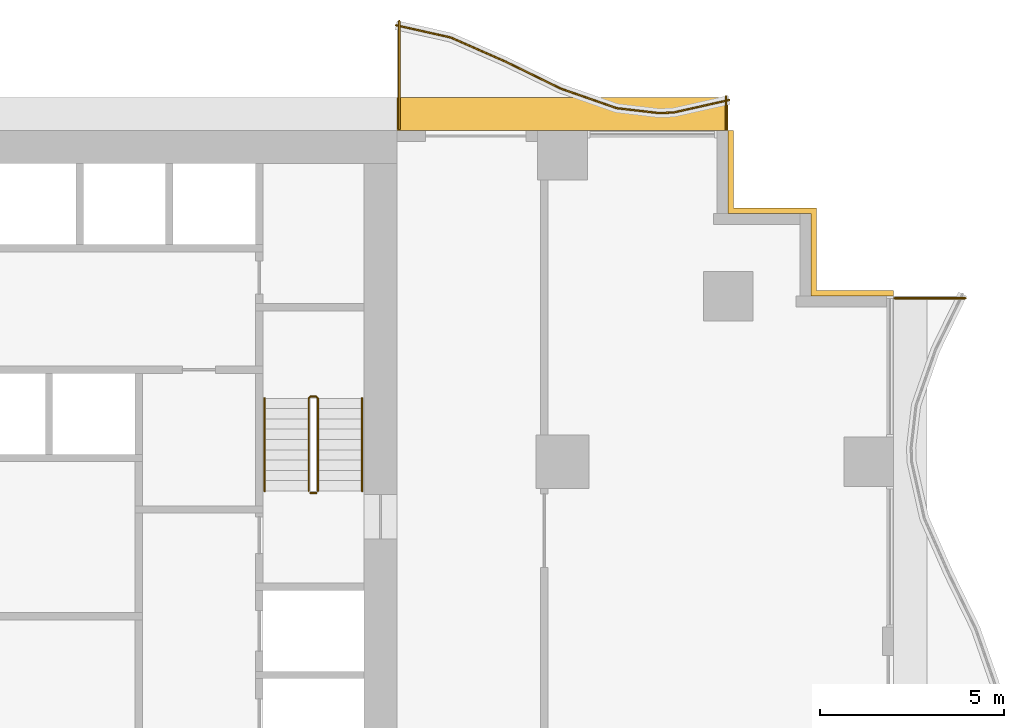
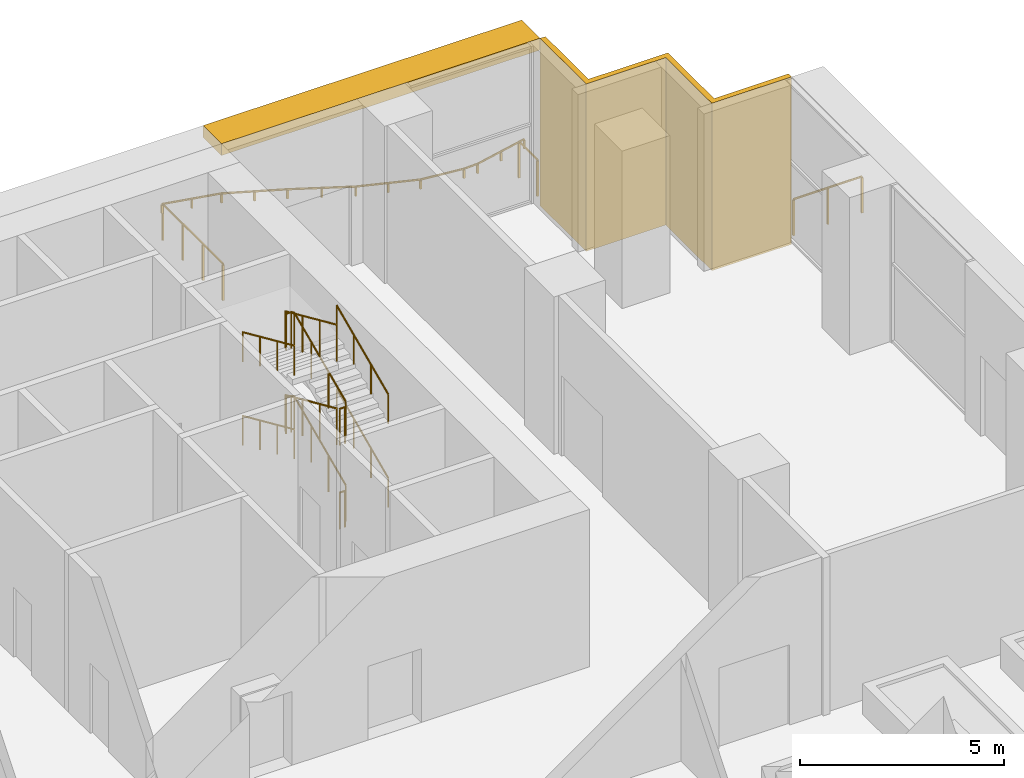
# One storey, part 17 of 18: 12 railings, 2 shading devices.
"""IFC4 building model written with IfcOpenShell, lengths in metres."""

from ifc_helpers import new_model, si_unit, direction, frame, origin, origin_2d, place, context, subcontext, project, spatial, polyline, rectangle, circle, outline, extrude, material, layer, layer_set, type_object, element, save


model = new_model("IFC4")

# Units and contexts
model_context = context("Model", 3, precision=1e-05, world=origin(), true_north=direction((0.0, 1.0)))
body_context = subcontext(model_context, "Body", "Model", "MODEL_VIEW")
ifc_project = project(units=[si_unit("LENGTHUNIT", "METRE"), si_unit("AREAUNIT", "SQUARE_METRE"), si_unit("VOLUMEUNIT", "CUBIC_METRE"), si_unit("PLANEANGLEUNIT", "RADIAN"), si_unit("MASSUNIT", "GRAM", prefix="KILO")], contexts=[model_context])

# Site, building, storey
site_placement = place(None, origin())
site = spatial("IfcSite", under=ifc_project, at=site_placement, CompositionType="ELEMENT")
building_placement = place(site_placement, origin())
building = spatial("IfcBuilding", under=site, at=building_placement, Name="Orbiselva Terraces", CompositionType="ELEMENT")
storey_placement = place(building_placement, frame((0.0, 0.0, 64.4)))
storey = spatial("IfcBuildingStorey", under=building, at=storey_placement, Name="L16", CompositionType="ELEMENT", Elevation=64.4)

# Railings
ifc_material_1 = material(Name="Stainless steel", Category="steel")
railing_type_1 = type_object("IfcRailingType", Name="CORE-GUARD-1100", PredefinedType="GUARDRAIL", material=ifc_material_1)
railing_1_placement = place(storey_placement, frame((11.35, 12.7, 0.125)))
element("IfcRailing", 1, at=railing_1_placement, inside=storey, type_object=railing_type_1, Name="L16 S2 stair guard 1", PredefinedType="GUARDRAIL", context=body_context, shape_type="SweptSolid", body=[
    extrude(circle(Radius=0.024, at=origin_2d()), frame((0.0, 0.0, 1.081), z_axis=(0.0, 0.913137882438, 0.407650840374), x_axis=(-1.0, 0.0, 0.0)), (0.0, 0.0, 1.0), 2.759715),
    extrude(circle(Radius=0.024, at=origin_2d()), frame((0.0, 2.52, 2.206), z_axis=(-0.707106781187, 0.707106781187, 0.0), x_axis=(-0.707106781187, -0.707106781187, 0.0)), (0.0, 0.0, 1.0), 0.070711),
    extrude(circle(Radius=0.024, at=origin_2d()), frame((-0.05, 2.57, 2.206), z_axis=(-1.0, 0.0, 0.0), x_axis=(0.0, -1.0, 0.0)), (0.0, 0.0, 1.0), 0.15),
    extrude(circle(Radius=0.024, at=origin_2d()), frame((-0.2, 2.57, 2.206), z_axis=(-0.348155311911, -0.348155311911, 0.870388279778), x_axis=(0.707106781187, -0.707106781187, 0.0)), (0.0, 0.0, 1.0), 0.143614),
    extrude(circle(Radius=0.024, at=origin_2d()), frame((-0.25, 2.52, 2.331), z_axis=(0.0, -0.913137882438, 0.407650840374), x_axis=(1.0, 0.0, 0.0)), (0.0, 0.0, 1.0), 2.759715),
    extrude(circle(Radius=0.021, at=origin_2d()), origin(), (0.0, 0.0, 1.0), 1.057),
    extrude(circle(Radius=0.021, at=origin_2d()), frame((0.0, 0.84, 0.375)), (0.0, 0.0, 1.0), 1.057),
    extrude(circle(Radius=0.021, at=origin_2d()), frame((0.0, 1.68, 0.75)), (0.0, 0.0, 1.0), 1.057),
    extrude(circle(Radius=0.021, at=origin_2d()), frame((0.0, 2.52, 1.125)), (0.0, 0.0, 1.0), 1.057),
    extrude(circle(Radius=0.021, at=origin_2d()), frame((-0.05, 2.57, 1.125)), (0.0, 0.0, 1.0), 1.057),
    extrude(circle(Radius=0.021, at=origin_2d()), frame((-0.2, 2.57, 1.125)), (0.0, 0.0, 1.0), 1.057),
    extrude(circle(Radius=0.021, at=origin_2d()), frame((-0.25, 2.52, 1.25)), (0.0, 0.0, 1.0), 1.057),
    extrude(circle(Radius=0.021, at=origin_2d()), frame((-0.25, 1.68, 1.625)), (0.0, 0.0, 1.0), 1.057),
    extrude(circle(Radius=0.021, at=origin_2d()), frame((-0.25, 0.84, 2.0)), (0.0, 0.0, 1.0), 1.057),
    extrude(circle(Radius=0.021, at=origin_2d()), frame((-0.25, 0.0, 2.375)), (0.0, 0.0, 1.0), 1.057),
])
railing_2_placement = place(storey_placement, frame((11.3, 12.65, 2.5)))
element("IfcRailing", 2, at=railing_2_placement, inside=storey, type_object=railing_type_1, Name="L16 S2 stair guard 2", PredefinedType="GUARDRAIL", context=body_context, shape_type="SweptSolid", body=[
    extrude(circle(Radius=0.024, at=origin_2d()), frame((0.0, 0.0, 1.081), z_axis=(-1.0, 0.0, 0.0), x_axis=(0.0, -1.0, 0.0)), (0.0, 0.0, 1.0), 0.15),
    extrude(circle(Radius=0.021, at=origin_2d()), origin(), (0.0, 0.0, 1.0), 1.057),
    extrude(circle(Radius=0.021, at=origin_2d()), frame((-0.15, 0.0, 0.0)), (0.0, 0.0, 1.0), 1.057),
])
railing_3_placement = place(storey_placement, frame((11.35, 12.7, 2.625)))
element("IfcRailing", 3, at=railing_3_placement, inside=storey, type_object=railing_type_1, Name="L16 S2 stair guard 3", PredefinedType="GUARDRAIL", context=body_context, shape_type="SweptSolid", body=[
    extrude(circle(Radius=0.024, at=origin_2d()), frame((0.0, 0.0, 1.081), z_axis=(0.0, 0.913137882438, 0.407650840374), x_axis=(-1.0, 0.0, 0.0)), (0.0, 0.0, 1.0), 2.759715),
    extrude(circle(Radius=0.024, at=origin_2d()), frame((0.0, 2.52, 2.206), z_axis=(-0.707106781187, 0.707106781187, 0.0), x_axis=(-0.707106781187, -0.707106781187, 0.0)), (0.0, 0.0, 1.0), 0.070711),
    extrude(circle(Radius=0.024, at=origin_2d()), frame((-0.05, 2.57, 2.206), z_axis=(-1.0, 0.0, 0.0), x_axis=(0.0, -1.0, 0.0)), (0.0, 0.0, 1.0), 0.15),
    extrude(circle(Radius=0.024, at=origin_2d()), frame((-0.2, 2.57, 2.206), z_axis=(-0.348155311911, -0.348155311911, 0.870388279778), x_axis=(0.707106781187, -0.707106781187, 0.0)), (0.0, 0.0, 1.0), 0.143614),
    extrude(circle(Radius=0.024, at=origin_2d()), frame((-0.25, 2.52, 2.331), z_axis=(0.0, -0.913137882438, 0.407650840374), x_axis=(1.0, 0.0, 0.0)), (0.0, 0.0, 1.0), 2.759715),
    extrude(circle(Radius=0.021, at=origin_2d()), origin(), (0.0, 0.0, 1.0), 1.057),
    extrude(circle(Radius=0.021, at=origin_2d()), frame((0.0, 0.84, 0.375)), (0.0, 0.0, 1.0), 1.057),
    extrude(circle(Radius=0.021, at=origin_2d()), frame((0.0, 1.68, 0.75)), (0.0, 0.0, 1.0), 1.057),
    extrude(circle(Radius=0.021, at=origin_2d()), frame((0.0, 2.52, 1.125)), (0.0, 0.0, 1.0), 1.057),
    extrude(circle(Radius=0.021, at=origin_2d()), frame((-0.05, 2.57, 1.125)), (0.0, 0.0, 1.0), 1.057),
    extrude(circle(Radius=0.021, at=origin_2d()), frame((-0.2, 2.57, 1.125)), (0.0, 0.0, 1.0), 1.057),
    extrude(circle(Radius=0.021, at=origin_2d()), frame((-0.25, 2.52, 1.25)), (0.0, 0.0, 1.0), 1.057),
    extrude(circle(Radius=0.021, at=origin_2d()), frame((-0.25, 1.68, 1.625)), (0.0, 0.0, 1.0), 1.057),
    extrude(circle(Radius=0.021, at=origin_2d()), frame((-0.25, 0.84, 2.0)), (0.0, 0.0, 1.0), 1.057),
    extrude(circle(Radius=0.021, at=origin_2d()), frame((-0.25, 0.0, 2.375)), (0.0, 0.0, 1.0), 1.057),
])
railing_4_placement = place(storey_placement, frame((11.3, 12.65, 0.0)))
element("IfcRailing", 4, at=railing_4_placement, inside=storey, type_object=railing_type_1, Name="L16 S2 stair guard 4", PredefinedType="GUARDRAIL", context=body_context, shape_type="SweptSolid", body=[
    extrude(circle(Radius=0.024, at=origin_2d()), frame((0.0, 0.0, 1.081), z_axis=(-1.0, 0.0, 0.0), x_axis=(0.0, -1.0, 0.0)), (0.0, 0.0, 1.0), 0.15),
    extrude(circle(Radius=0.021, at=origin_2d()), origin(), (0.0, 0.0, 1.0), 1.057),
    extrude(circle(Radius=0.021, at=origin_2d()), frame((-0.15, 0.0, 0.0)), (0.0, 0.0, 1.0), 1.057),
])
railing_type_2 = type_object("IfcRailingType", Name="CORE-HANDRAIL-900", PredefinedType="HANDRAIL", material=ifc_material_1)
railing_5_placement = place(storey_placement, frame((12.55, 12.7, 0.125)))
element("IfcRailing", 5, at=railing_5_placement, inside=storey, type_object=railing_type_2, Name="L16 S2 stair handrail 1", PredefinedType="HANDRAIL", context=body_context, shape_type="SweptSolid", body=[
    extrude(circle(Radius=0.024, at=origin_2d()), frame((0.0, 0.0, 0.876), z_axis=(0.0, 0.913137882438, 0.407650840374), x_axis=(-1.0, 0.0, 0.0)), (0.0, 0.0, 1.0), 2.759715),
    extrude(circle(Radius=0.021, at=origin_2d()), origin(), (0.0, 0.0, 1.0), 0.852),
    extrude(circle(Radius=0.021, at=origin_2d()), frame((0.0, 0.84, 0.375)), (0.0, 0.0, 1.0), 0.852),
    extrude(circle(Radius=0.021, at=origin_2d()), frame((0.0, 1.68, 0.75)), (0.0, 0.0, 1.0), 0.852),
    extrude(circle(Radius=0.021, at=origin_2d()), frame((0.0, 2.52, 1.125)), (0.0, 0.0, 1.0), 0.852),
])
railing_6_placement = place(storey_placement, frame((9.9, 15.22, 1.375)))
element("IfcRailing", 6, at=railing_6_placement, inside=storey, type_object=railing_type_2, Name="L16 S2 stair handrail 2", PredefinedType="HANDRAIL", context=body_context, shape_type="SweptSolid", body=[
    extrude(circle(Radius=0.024, at=origin_2d()), frame((0.0, 0.0, 0.876), z_axis=(0.0, -0.913137882438, 0.407650840374), x_axis=(1.0, 0.0, 0.0)), (0.0, 0.0, 1.0), 2.759715),
    extrude(circle(Radius=0.021, at=origin_2d()), origin(), (0.0, 0.0, 1.0), 0.852),
    extrude(circle(Radius=0.021, at=origin_2d()), frame((0.0, -0.84, 0.375)), (0.0, 0.0, 1.0), 0.852),
    extrude(circle(Radius=0.021, at=origin_2d()), frame((0.0, -1.68, 0.75)), (0.0, 0.0, 1.0), 0.852),
    extrude(circle(Radius=0.021, at=origin_2d()), frame((0.0, -2.52, 1.125)), (0.0, 0.0, 1.0), 0.852),
])
railing_7_placement = place(storey_placement, frame((12.55, 12.7, 2.625)))
element("IfcRailing", 7, at=railing_7_placement, inside=storey, type_object=railing_type_2, Name="L16 S2 stair handrail 3", PredefinedType="HANDRAIL", context=body_context, shape_type="SweptSolid", body=[
    extrude(circle(Radius=0.024, at=origin_2d()), frame((0.0, 0.0, 0.876), z_axis=(0.0, 0.913137882438, 0.407650840374), x_axis=(-1.0, 0.0, 0.0)), (0.0, 0.0, 1.0), 2.759715),
    extrude(circle(Radius=0.021, at=origin_2d()), origin(), (0.0, 0.0, 1.0), 0.852),
    extrude(circle(Radius=0.021, at=origin_2d()), frame((0.0, 0.84, 0.375)), (0.0, 0.0, 1.0), 0.852),
    extrude(circle(Radius=0.021, at=origin_2d()), frame((0.0, 1.68, 0.75)), (0.0, 0.0, 1.0), 0.852),
    extrude(circle(Radius=0.021, at=origin_2d()), frame((0.0, 2.52, 1.125)), (0.0, 0.0, 1.0), 0.852),
])
railing_8_placement = place(storey_placement, frame((9.9, 15.22, 3.875)))
element("IfcRailing", 8, at=railing_8_placement, inside=storey, type_object=railing_type_2, Name="L16 S2 stair handrail 4", PredefinedType="HANDRAIL", context=body_context, shape_type="SweptSolid", body=[
    extrude(circle(Radius=0.024, at=origin_2d()), frame((0.0, 0.0, 0.876), z_axis=(0.0, -0.913137882438, 0.407650840374), x_axis=(1.0, 0.0, 0.0)), (0.0, 0.0, 1.0), 2.759715),
    extrude(circle(Radius=0.021, at=origin_2d()), origin(), (0.0, 0.0, 1.0), 0.852),
    extrude(circle(Radius=0.021, at=origin_2d()), frame((0.0, -0.84, 0.375)), (0.0, 0.0, 1.0), 0.852),
    extrude(circle(Radius=0.021, at=origin_2d()), frame((0.0, -1.68, 0.75)), (0.0, 0.0, 1.0), 0.852),
    extrude(circle(Radius=0.021, at=origin_2d()), frame((0.0, -2.52, 1.125)), (0.0, 0.0, 1.0), 0.852),
])
ifc_material_2 = material(Name="Bonded two-ply safety glass balustrade, stainless steel posts", Category="steel")
railing_type_3 = type_object("IfcRailingType", Name="ENV-BALUSTRADE-1200", PredefinedType="BALUSTRADE", material=ifc_material_2)
railing_9_placement = place(storey_placement, frame((22.527377, 23.329507, 0.9)))
element("IfcRailing", 9, at=railing_9_placement, inside=storey, type_object=railing_type_3, Name="Balcony balustrade L16 NE", PredefinedType="BALUSTRADE", context=body_context, shape_type="SweptSolid", body=[
    extrude(outline(polyline([(0.028868, 0.0), (0.014434, 0.025), (-0.014434, 0.025), (-0.028868, 0.0), (-0.014434, -0.025), (0.014434, -0.025), (0.028868, 0.0)])), frame((0.0, 0.0, 0.275), z_axis=(-0.97572138316, -0.219015484484, 0.0), x_axis=(0.219015484484, -0.97572138316, 0.0)), (0.0, 0.0, 1.0), 1.548694),
    extrude(outline(polyline([(0.028868, 0.0), (0.014434, 0.025), (-0.014434, 0.025), (-0.028868, 0.0), (-0.014434, -0.025), (0.014434, -0.025), (0.028868, 0.0)])), frame((-1.511094, -0.339188, 0.275), z_axis=(-0.999224734286, -0.03936915532, 0.0), x_axis=(0.03936915532, -0.999224734286, 0.0)), (0.0, 0.0, 1.0), 0.396376),
    extrude(outline(polyline([(0.028868, 0.0), (0.014434, 0.025), (-0.014434, 0.025), (-0.028868, 0.0), (-0.014434, -0.025), (0.014434, -0.025), (0.028868, 0.0)])), frame((-1.907163, -0.354793, 0.275), z_axis=(-0.993309551734, 0.115482182324, 0.0), x_axis=(-0.115482182324, -0.993309551734, 0.0)), (0.0, 0.0, 1.0), 1.156135),
    extrude(outline(polyline([(0.028868, 0.0), (0.014434, 0.025), (-0.014434, 0.025), (-0.028868, 0.0), (-0.014434, -0.025), (0.014434, -0.025), (0.028868, 0.0)])), frame((-3.055563, -0.22128, 0.275), z_axis=(-0.943972332783, 0.330024597479, 0.0), x_axis=(-0.330024597479, -0.943972332783, 0.0)), (0.0, 0.0, 1.0), 1.610253),
    extrude(outline(polyline([(0.028868, 0.0), (0.014434, 0.025), (-0.014434, 0.025), (-0.028868, 0.0), (-0.014434, -0.025), (0.014434, -0.025), (0.028868, 0.0)])), frame((-4.575597, 0.310143, 0.275), z_axis=(-0.898578870221, 0.438812048596, 0.0), x_axis=(-0.438812048596, -0.898578870221, 0.0)), (0.0, 0.0, 1.0), 1.674225),
    extrude(outline(polyline([(0.028868, 0.0), (0.014434, 0.025), (-0.014434, 0.025), (-0.028868, 0.0), (-0.014434, -0.025), (0.014434, -0.025), (0.028868, 0.0)])), frame((-6.08002, 1.044813, 0.275), z_axis=(-0.915133363686, 0.403151245402, 0.0), x_axis=(-0.403151245402, -0.915133363686, 0.0)), (0.0, 0.0, 1.0), 1.624475),
    extrude(outline(polyline([(0.028868, 0.0), (0.014434, 0.025), (-0.014434, 0.025), (-0.028868, 0.0), (-0.014434, -0.025), (0.014434, -0.025), (0.028868, 0.0)])), frame((-7.566631, 1.699722, 0.275), z_axis=(-0.975721356559, 0.219015602994, 0.0), x_axis=(-0.219015602994, -0.975721356559, 0.0)), (0.0, 0.0, 1.0), 1.525152),
    extrude(rectangle(XDim=0.05, YDim=0.05, at=origin_2d()), origin(), (0.0, 0.0, 1.0), 0.25),
    extrude(rectangle(XDim=0.05, YDim=0.05, at=origin_2d()), frame((-0.755547, -0.169594, 0.0)), (0.0, 0.0, 1.0), 0.25),
    extrude(rectangle(XDim=0.05, YDim=0.05, at=origin_2d()), frame((-1.511094, -0.339188, 0.0)), (0.0, 0.0, 1.0), 0.25),
    extrude(rectangle(XDim=0.05, YDim=0.05, at=origin_2d()), frame((-1.907163, -0.354793, 0.0)), (0.0, 0.0, 1.0), 0.25),
    extrude(rectangle(XDim=0.05, YDim=0.05, at=origin_2d()), frame((-3.055563, -0.22128, 0.0)), (0.0, 0.0, 1.0), 0.25),
    extrude(rectangle(XDim=0.05, YDim=0.05, at=origin_2d()), frame((-3.81558, 0.044431, 0.0)), (0.0, 0.0, 1.0), 0.25),
    extrude(rectangle(XDim=0.05, YDim=0.05, at=origin_2d()), frame((-4.575597, 0.310143, 0.0)), (0.0, 0.0, 1.0), 0.25),
    extrude(rectangle(XDim=0.05, YDim=0.05, at=origin_2d()), frame((-5.327809, 0.677478, 0.0)), (0.0, 0.0, 1.0), 0.25),
    extrude(rectangle(XDim=0.05, YDim=0.05, at=origin_2d()), frame((-6.08002, 1.044813, 0.0)), (0.0, 0.0, 1.0), 0.25),
    extrude(rectangle(XDim=0.05, YDim=0.05, at=origin_2d()), frame((-6.823326, 1.372268, 0.0)), (0.0, 0.0, 1.0), 0.25),
    extrude(rectangle(XDim=0.05, YDim=0.05, at=origin_2d()), frame((-7.566631, 1.699722, 0.0)), (0.0, 0.0, 1.0), 0.25),
    extrude(rectangle(XDim=0.05, YDim=0.05, at=origin_2d()), frame((-8.310693, 1.866738, 0.0)), (0.0, 0.0, 1.0), 0.25),
    extrude(rectangle(XDim=0.05, YDim=0.05, at=origin_2d()), frame((-9.054754, 2.033754, 0.0)), (0.0, 0.0, 1.0), 0.25),
])
ifc_material_3 = material(Name="Stainless steel rail and posts", Category="steel")
railing_type_4 = type_object("IfcRailingType", Name="ENV-GUARD-1105", PredefinedType="BALUSTRADE", material=ifc_material_3)
railing_10_placement = place(storey_placement, frame((28.957877, 17.94, 0.0)))
element("IfcRailing", 10, at=railing_10_placement, inside=storey, type_object=railing_type_4, Name="Balcony end guard L16 E", PredefinedType="BALUSTRADE", context=body_context, shape_type="SweptSolid", body=[
    extrude(outline(polyline([(0.028868, 0.0), (0.014434, 0.025), (-0.014434, 0.025), (-0.028868, 0.0), (-0.014434, -0.025), (0.014434, -0.025), (0.028868, 0.0)])), frame((0.0, 0.0, 1.08), z_axis=(-1.0, 0.0, 0.0), x_axis=(0.0, -1.0, 0.0)), (0.0, 0.0, 1.0), 1.932877),
    extrude(rectangle(XDim=0.05, YDim=0.05, at=origin_2d()), origin(), (0.0, 0.0, 1.0), 1.055),
    extrude(rectangle(XDim=0.05, YDim=0.05, at=origin_2d()), frame((-0.966439, 0.0, 0.0)), (0.0, 0.0, 1.0), 1.055),
    extrude(rectangle(XDim=0.05, YDim=0.05, at=origin_2d()), frame((-1.932877, 0.0, 0.0)), (0.0, 0.0, 1.0), 1.055),
])
railing_11_placement = place(storey_placement, frame((22.44, 23.430416, 0.0)))
element("IfcRailing", 11, at=railing_11_placement, inside=storey, type_object=railing_type_4, Name="Balcony end guard L16 NE", PredefinedType="BALUSTRADE", context=body_context, shape_type="SweptSolid", body=[
    extrude(outline(polyline([(0.028868, 0.0), (0.014434, 0.025), (-0.014434, 0.025), (-0.028868, 0.0), (-0.014434, -0.025), (0.014434, -0.025), (0.028868, 0.0)])), frame((0.0, 0.0, 1.08), z_axis=(0.0, -1.0, 0.0), x_axis=(1.0, 0.0, 0.0)), (0.0, 0.0, 1.0), 0.905416),
    extrude(rectangle(XDim=0.05, YDim=0.05, at=origin_2d()), origin(), (0.0, 0.0, 1.0), 1.055),
    extrude(rectangle(XDim=0.05, YDim=0.05, at=origin_2d()), frame((0.0, -0.905416, 0.0)), (0.0, 0.0, 1.0), 1.055),
])
railing_12_placement = place(storey_placement, frame((13.56, 25.480134, 0.0)))
element("IfcRailing", 12, at=railing_12_placement, inside=storey, type_object=railing_type_4, Name="Balcony end guard L16 NE", PredefinedType="BALUSTRADE", context=body_context, shape_type="SweptSolid", body=[
    extrude(outline(polyline([(0.028868, 0.0), (0.014434, 0.025), (-0.014434, 0.025), (-0.028868, 0.0), (-0.014434, -0.025), (0.014434, -0.025), (0.028868, 0.0)])), frame((0.0, 0.0, 1.08), z_axis=(0.0, -1.0, 0.0), x_axis=(1.0, 0.0, 0.0)), (0.0, 0.0, 1.0), 2.955134),
    extrude(rectangle(XDim=0.05, YDim=0.05, at=origin_2d()), origin(), (0.0, 0.0, 1.0), 1.055),
    extrude(rectangle(XDim=0.05, YDim=0.05, at=origin_2d()), frame((0.0, -0.985045, 0.0)), (0.0, 0.0, 1.0), 1.055),
    extrude(rectangle(XDim=0.05, YDim=0.05, at=origin_2d()), frame((0.0, -1.970089, 0.0)), (0.0, 0.0, 1.0), 1.055),
    extrude(rectangle(XDim=0.05, YDim=0.05, at=origin_2d()), frame((0.0, -2.955134, 0.0)), (0.0, 0.0, 1.0), 1.055),
])

# Shading devices
ifc_material_4 = material(Name="Terracotta louvre screen", Category="masonry")
ifc_layer_1 = layer(ifc_material_4, 0.15)
ifc_layer_set_1 = layer_set([ifc_layer_1], Name="Terracotta louvre screen")
shading_device_type_1 = type_object("IfcShadingDeviceType", Name="ENV-SCREEN-150", PredefinedType="USERDEFINED", material=ifc_layer_set_1)
shading_device_1_placement = place(storey_placement, frame((0.0, 0.0, -0.3)))
element("IfcShadingDevice", 13, at=shading_device_1_placement, inside=storey, type_object=shading_device_type_1, Name="Louvre screen L16 NE", ObjectType="SCREEN", PredefinedType="USERDEFINED", context=body_context, shape_type="SweptSolid", body=[
    extrude(outline(polyline([(27.0, 18.15), (24.9, 18.15), (24.9, 20.4), (22.65, 20.4), (22.65, 22.5), (22.5, 22.5), (22.5, 20.25), (24.75, 20.25), (24.75, 18.0), (27.0, 18.0), (27.0, 18.15)])), origin(), (0.0, 0.0, 1.0), 5.0),
])
ifc_material_5 = material(Name="Terracotta baguette sunshade", Category="masonry")
ifc_layer_2 = layer(ifc_material_5, 0.35)
ifc_layer_set_2 = layer_set([ifc_layer_2], Name="Terracotta baguette sunshade")
shading_device_type_2 = type_object("IfcShadingDeviceType", Name="ENV-SUNSHADE-900x350", PredefinedType="USERDEFINED", material=ifc_layer_set_2)
shading_device_2_placement = place(storey_placement, frame((0.0, 0.0, 4.35)))
element("IfcShadingDevice", 14, at=shading_device_2_placement, inside=storey, type_object=shading_device_type_2, Name="Sunshade band L16 NE", ObjectType="SUNSHADE", PredefinedType="USERDEFINED", context=body_context, shape_type="SweptSolid", body=[
    extrude(outline(polyline([(22.5, 23.4), (13.5, 23.4), (13.5, 22.5), (22.5, 22.5), (22.5, 23.4)])), origin(), (0.0, 0.0, 1.0), 0.35),
])

save(model, "model.ifc")
